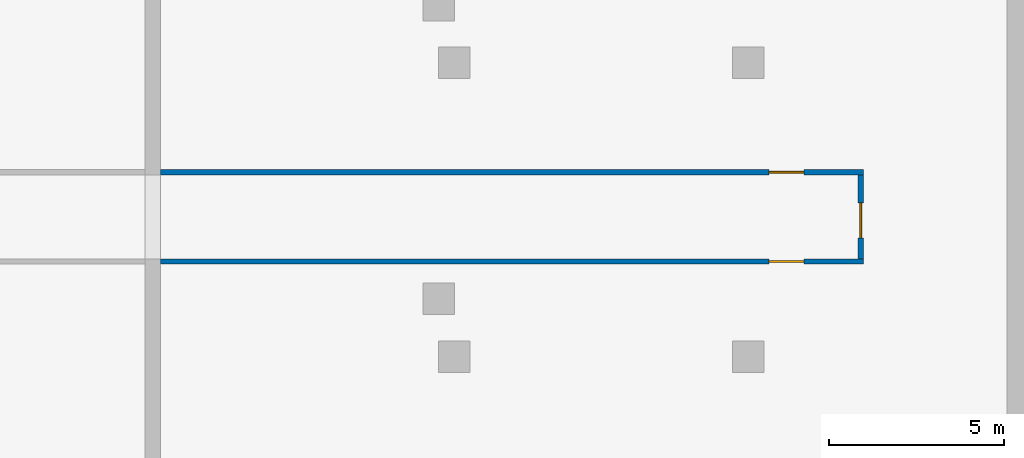
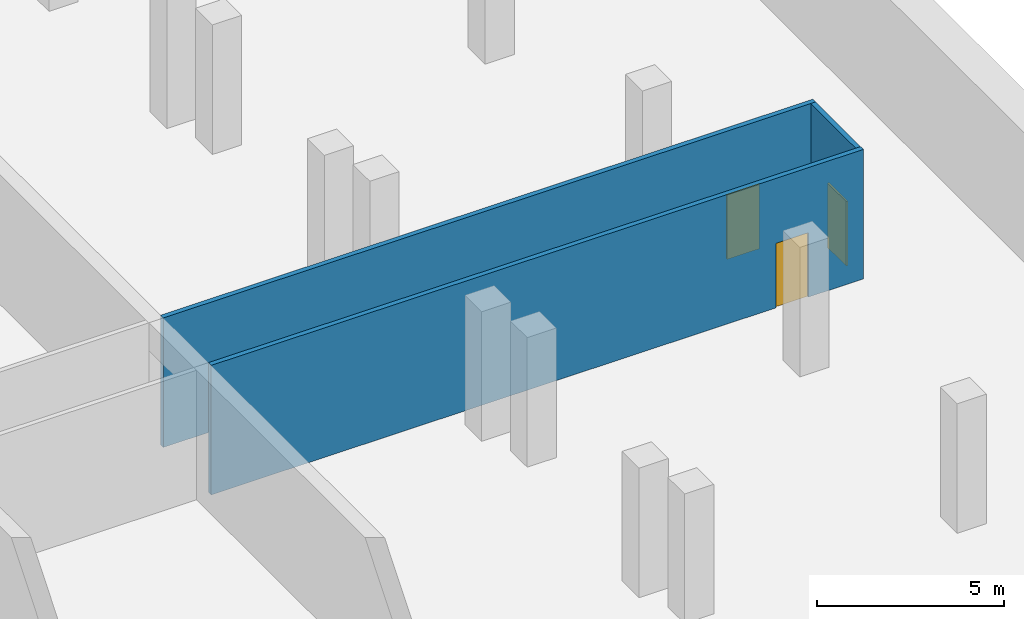
# One storey, part 10 of 12: 3 doors, 3 walls, 3 openings.
"""IFC4 building model written with IfcOpenShell, lengths in metres."""

from ifc_helpers import new_model, si_unit, direction, frame, frame_2d, origin, place, context, subcontext, project, spatial, rectangle, extrude, source, transform, mapped, material, layer, layer_set, type_object, element, fill, save


model = new_model("IFC4")

# Units and contexts
model_context = context("Model", 3, precision=1e-05, world=origin(), true_north=direction((0.0, 1.0)))
body_context = subcontext(model_context, "Body", "Model", "MODEL_VIEW")
ifc_project = project(units=[si_unit("LENGTHUNIT", "METRE"), si_unit("AREAUNIT", "SQUARE_METRE"), si_unit("VOLUMEUNIT", "CUBIC_METRE"), si_unit("PLANEANGLEUNIT", "RADIAN"), si_unit("MASSUNIT", "GRAM", prefix="KILO")], contexts=[model_context])

# Site, building, storey
site_placement = place(None, origin())
site = spatial("IfcSite", under=ifc_project, at=site_placement, CompositionType="ELEMENT")
building_placement = place(site_placement, origin())
building = spatial("IfcBuilding", under=site, at=building_placement, Name="Vanashikhar Sky Hotel", CompositionType="ELEMENT")
storey_placement = place(building_placement, frame((0.0, 0.0, -4.5)))
storey = spatial("IfcBuildingStorey", under=building, at=storey_placement, Name="B1", CompositionType="ELEMENT", Elevation=-4.5)

# Wall, opening, door
ifc_material_1 = material(Name="Concrete M30", Category="concrete")
ifc_layer = layer(ifc_material_1, 0.14990234375)
ifc_layer_set = layer_set([ifc_layer], Name="Car park partition 150 mm")
wall_type = type_object("IfcWallType", Name="Car park partition 150 mm", PredefinedType="PARTITIONING", material=ifc_layer_set)
shared_shape_1 = source(origin(), body_context, "Body", "SweptSolid", [
    extrude(rectangle(XDim=2.39990234375, YDim=0.14990234375, at=frame_2d((1.199951171875, 0.0))), origin(), (0.0, 0.0, 1.0), 4.219970703125),
])
wall_1_placement = place(storey_placement, frame((120.824951171875, 19.60009765625, 0.0), z_axis=(0.0, 0.0, 1.0), x_axis=(0.0, 1.0, 0.0)))
wall_1 = element("IfcWall", 1, at=wall_1_placement, inside=storey, type_object=wall_type, Name="Car park partition", PredefinedType="PARTITIONING", context=body_context, shape_type="MappedRepresentation", body=[
    mapped(shared_shape_1, transform((0.0, 0.0, 0.0), scale=1.0)),
])
shared_shape_2 = source(origin(), body_context, "Body", "SweptSolid", [
    extrude(rectangle(XDim=1.0, YDim=2.10009765625, at=frame_2d((0.5, 1.050048828125))), frame((0.0, 0.0849609375, 0.0), z_axis=(0.0, -1.0, 0.0), x_axis=(1.0, 0.0, 0.0)), (0.0, 0.0, 1.0), 0.169921875),
])
opening_1_placement = place(wall_1_placement, frame((0.60009765625, 0.0, 0.0)))
opening_1 = element("IfcOpeningElement", 2, at=opening_1_placement, cuts=wall_1, Name="Opening PD-06", PredefinedType="OPENING", context=body_context, shape_type="MappedRepresentation", body=[
    mapped(shared_shape_2, transform((0.0, 0.0, 0.0), scale=1.0)),
])
ifc_material_2 = material(Name="Steel S355", Category="steel")
door_type = type_object("IfcDoorType", Name="Car park lobby door 1000 FD120", OperationType="NOTDEFINED", PredefinedType="DOOR", material=ifc_material_2)
shared_shape_3 = source(origin(), body_context, "Body", "SweptSolid", [
    extrude(rectangle(XDim=1.0, YDim=2.10009765625, at=frame_2d((0.5, 1.050048828125))), frame((0.0, 0.02490234375, 0.0), z_axis=(0.0, -1.0, 0.0), x_axis=(1.0, 0.0, 0.0)), (0.0, 0.0, 1.0), 0.050048828125),
])
door_1_placement = place(opening_1_placement, origin())
door_1 = element("IfcDoor", 3, at=door_1_placement, inside=storey, type_object=door_type, Name="Car park lobby door", OperationType="SINGLE_SWING_RIGHT", OverallHeight=2.10009765625, OverallWidth=1.0, PredefinedType="DOOR", context=body_context, shape_type="MappedRepresentation", body=[
    mapped(shared_shape_3, transform((0.0, 0.0, 0.0), scale=1.0)),
])
fill(opening_1, door_1)

shared_shape_4 = source(origin(), body_context, "Body", "SweptSolid", [
    extrude(rectangle(XDim=20.099853515625, YDim=0.14990234375, at=frame_2d((10.0498046875, 0.0))), origin(), (0.0, 0.0, 1.0), 4.219970703125),
])
wall_2_placement = place(storey_placement, frame((100.800048828125, 19.52490234375, 0.0), z_axis=(0.0, 0.0, 1.0), x_axis=(1.0, 0.0, 0.0)))
wall_2 = element("IfcWall", 4, at=wall_2_placement, inside=storey, type_object=wall_type, Name="Car park partition", PredefinedType="PARTITIONING", context=body_context, shape_type="MappedRepresentation", body=[
    mapped(shared_shape_4, transform((0.0, 0.0, 0.0), scale=1.0)),
])
opening_2_placement = place(wall_2_placement, frame((17.39990234375, 0.0, 0.0)))
opening_2 = element("IfcOpeningElement", 5, at=opening_2_placement, cuts=wall_2, Name="Opening PD-03", PredefinedType="OPENING", context=body_context, shape_type="MappedRepresentation", body=[
    mapped(shared_shape_2, transform((0.0, 0.0, 0.0), scale=1.0)),
])
door_2_placement = place(opening_2_placement, origin())
door_2 = element("IfcDoor", 6, at=door_2_placement, inside=storey, type_object=door_type, Name="Car park lobby door", OperationType="SINGLE_SWING_LEFT", OverallHeight=2.10009765625, OverallWidth=1.0, PredefinedType="DOOR", context=body_context, shape_type="MappedRepresentation", body=[
    mapped(shared_shape_3, transform((0.0, 0.0, 0.0), scale=1.0)),
])
fill(opening_2, door_2)

wall_3_placement = place(storey_placement, frame((100.800048828125, 22.074951171875, 0.0), z_axis=(0.0, 0.0, 1.0), x_axis=(1.0, 0.0, 0.0)))
wall_3 = element("IfcWall", 7, at=wall_3_placement, inside=storey, type_object=wall_type, Name="Car park partition", PredefinedType="PARTITIONING", context=body_context, shape_type="MappedRepresentation", body=[
    mapped(shared_shape_4, transform((0.0, 0.0, 0.0), scale=1.0)),
])
opening_3_placement = place(wall_3_placement, frame((17.39990234375, 0.0, 0.0)))
opening_3 = element("IfcOpeningElement", 8, at=opening_3_placement, cuts=wall_3, Name="Opening PD-04", PredefinedType="OPENING", context=body_context, shape_type="MappedRepresentation", body=[
    mapped(shared_shape_2, transform((0.0, 0.0, 0.0), scale=1.0)),
])
door_3_placement = place(opening_3_placement, origin())
door_3 = element("IfcDoor", 9, at=door_3_placement, inside=storey, type_object=door_type, Name="Car park lobby door", OperationType="SINGLE_SWING_RIGHT", OverallHeight=2.10009765625, OverallWidth=1.0, PredefinedType="DOOR", context=body_context, shape_type="MappedRepresentation", body=[
    mapped(shared_shape_3, transform((0.0, 0.0, 0.0), scale=1.0)),
])
fill(opening_3, door_3)

save(model, "model.ifc")
